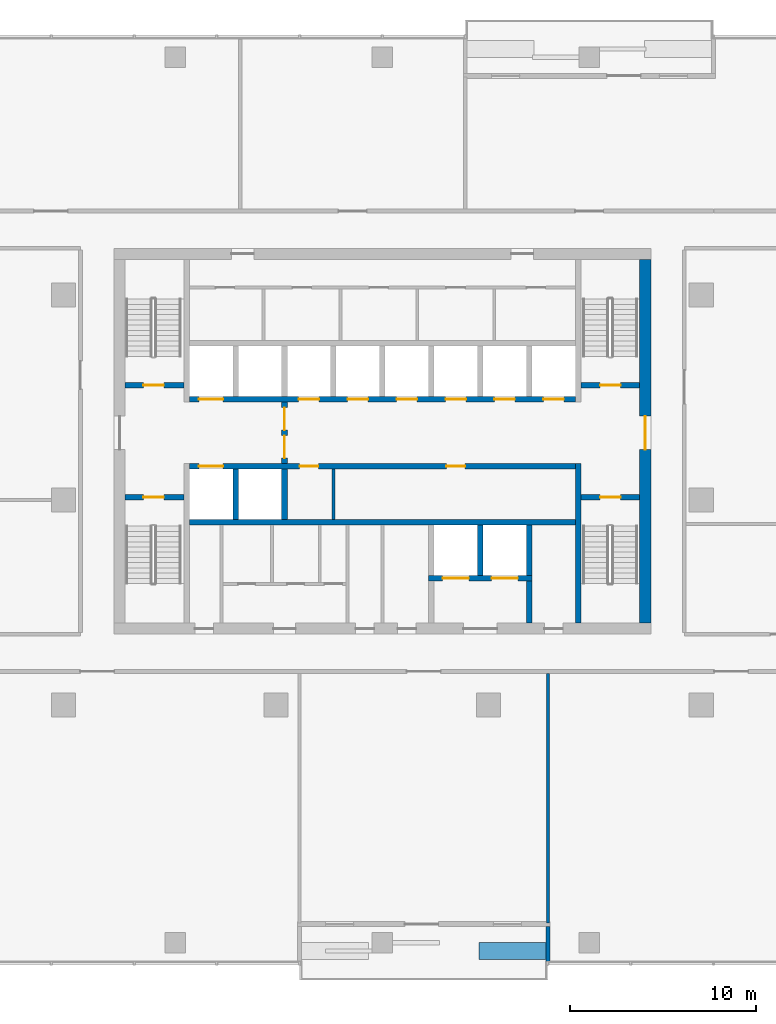
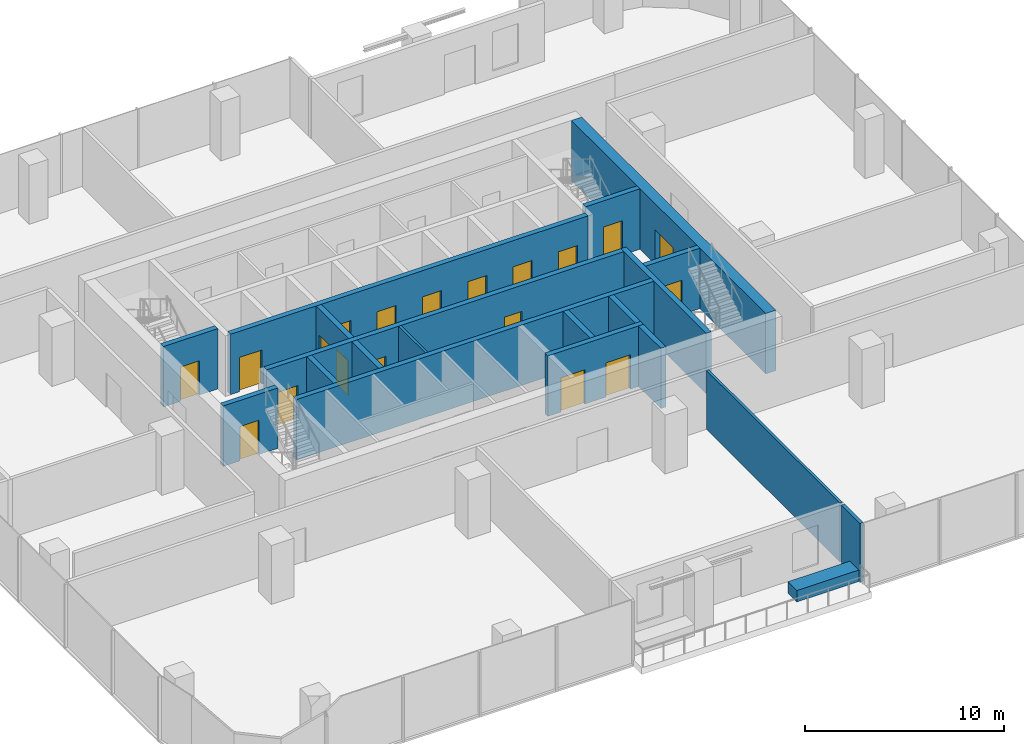
# One storey, part 8 of 14: 20 walls, 19 doors, 19 openings.
"""IFC4 building model written with IfcOpenShell, lengths in metres."""

import ifcopenshell
import ifcopenshell.guid

model = None  # the IFC model being written
_history = None  # IfcOwnerHistory: only IFC2X3 demands one
_inside = {}  # id of a spatial element -> (the spatial element, [elements in it])
_under = {}  # id of a project, library or spatial element -> (it, [spatial elements below it])
_declared = {}  # id of a project -> (the project, [libraries it declares])
_typed = {}  # id of a type object -> (the type object, [elements of that type])
_made_of = {}  # id of a material, layer set ... -> (it, [elements and type objects made of it])


def new_model(schema):
    """Start an empty IFC model of exactly this schema.

    Asked for "IFC4X3", IfcOpenShell would pick the latest addendum, in which some entities
    have other attributes; the version numbers below select the first issue.
    IFC2X3 requires an IfcOwnerHistory on every rooted entity: one is made here for all.
    """
    global model, _history
    if schema == "IFC4X3":
        model = ifcopenshell.file(schema_version=(4, 3, 0, 0))
    else:
        model = ifcopenshell.file(schema=schema)
    _inside.clear()
    _under.clear()
    _declared.clear()
    _typed.clear()
    _made_of.clear()
    _history = None
    if model.schema == "IFC2X3":
        org = make("IfcOrganization", Name="unknown")
        user = make(
            "IfcPersonAndOrganization",
            ThePerson=make("IfcPerson", FamilyName="unknown"),
            TheOrganization=org,
        )
        app = make(
            "IfcApplication",
            ApplicationDeveloper=org,
            Version="unknown",
            ApplicationFullName="unknown",
            ApplicationIdentifier="unknown",
        )
        _history = make(
            "IfcOwnerHistory",
            OwningUser=user,
            OwningApplication=app,
            ChangeAction="ADDED",
            CreationDate=0,
        )
    return model


def make(cls, **values):
    """One entity of the class cls with the attributes given. An attribute that is None is left unset."""
    return model.create_entity(
        cls, **{name: value for name, value in values.items() if value is not None}
    )


def rooted(cls, **values):
    """An entity with a GlobalId (a new one), such as an element, a storey or a relation."""
    return make(cls, GlobalId=ifcopenshell.guid.new(), OwnerHistory=_history, **values)


def si_unit(unit_type, name, prefix=None):
    """IfcSIUnit, for example si_unit("LENGTHUNIT", "METRE", prefix="MILLI")."""
    return make("IfcSIUnit", UnitType=unit_type, Prefix=prefix, Name=name)


def assignment(units):
    """IfcUnitAssignment: the units of a project."""
    return None if units is None else make("IfcUnitAssignment", Units=units)


def point(xyz):
    """IfcCartesianPoint."""
    return None if xyz is None else make("IfcCartesianPoint", Coordinates=xyz)


def direction(xyz):
    """IfcDirection."""
    return None if xyz is None else make("IfcDirection", DirectionRatios=xyz)


def frame(location, z_axis=None, x_axis=None):
    """IfcAxis2Placement3D, a coordinate frame: its origin and axes. An axis left out is left unset."""
    return make(
        "IfcAxis2Placement3D",
        Location=point(location),
        Axis=direction(z_axis),
        RefDirection=direction(x_axis),
    )


def frame_2d(location, x_axis=None):
    """IfcAxis2Placement2D, a coordinate frame in the plane: its origin and x axis."""
    return make(
        "IfcAxis2Placement2D", Location=point(location), RefDirection=direction(x_axis)
    )


def origin():
    """The frame at (0, 0, 0) with its axes left unset."""
    return frame((0.0, 0.0, 0.0))


def place(relative_to, where):
    """IfcLocalPlacement: puts the frame where relative to a parent placement (None: the world)."""
    return make(
        "IfcLocalPlacement", PlacementRelTo=relative_to, RelativePlacement=where
    )


def context(
    kind, dimensions, precision=None, world=None, true_north=None, identifier=None
):
    """IfcGeometricRepresentationContext, for example the 3D "Model" context."""
    return make(
        "IfcGeometricRepresentationContext",
        ContextIdentifier=identifier,
        ContextType=kind,
        CoordinateSpaceDimension=dimensions,
        Precision=precision,
        WorldCoordinateSystem=world,
        TrueNorth=true_north,
    )


def subcontext(parent, identifier, kind, view, scale=None):
    """IfcGeometricRepresentationSubContext, for example "Body" below "Model"."""
    return make(
        "IfcGeometricRepresentationSubContext",
        ContextIdentifier=identifier,
        ContextType=kind,
        ParentContext=parent,
        TargetScale=scale,
        TargetView=view,
    )


def project(units=None, contexts=None):
    """IfcProject with its units and contexts."""
    return rooted(
        "IfcProject",
        Name="project",
        RepresentationContexts=contexts,
        UnitsInContext=assignment(units),
    )


def spatial(cls, under=None, at=None, **own):
    """A site, building, storey or space (cls), placed at a placement, below another one or the project."""
    s = rooted(cls, ObjectPlacement=at, **own)
    if under is not None:
        _under.setdefault(under.id(), (under, []))[1].append(s)
    return s


def profile(cls, at=None, kind="AREA", **sizes):
    """A parametric profile (cls). Its sizes go by their IFC names, for example OverallWidth=200.0."""
    return make(cls, ProfileType=kind, Position=at, **sizes)


def rectangle(**sizes):
    """IfcRectangleProfileDef."""
    return profile("IfcRectangleProfileDef", **sizes)


def extrude(swept, where, along, depth):
    """IfcExtrudedAreaSolid: the profile swept, set in the frame where, extruded along a direction by depth."""
    return make(
        "IfcExtrudedAreaSolid",
        SweptArea=swept,
        Position=where,
        ExtrudedDirection=direction(along),
        Depth=depth,
    )


def shape(context_of_items, identifier, shape_type, items):
    """IfcShapeRepresentation: the items that make up one representation, for example the "Body"."""
    return make(
        "IfcShapeRepresentation",
        ContextOfItems=context_of_items,
        RepresentationIdentifier=identifier,
        RepresentationType=shape_type,
        Items=items,
    )


def material(Name=None, Category=None):
    """IfcMaterial."""
    return make("IfcMaterial", Name=Name, Category=Category)


def layer(
    of_material, thickness, ventilated=None, Name=None, Category=None, Priority=None
):
    """IfcMaterialLayer: one layer of a wall or slab, of a material (None: an air gap)."""
    return make(
        "IfcMaterialLayer",
        Material=of_material,
        LayerThickness=thickness,
        IsVentilated=ventilated,
        Name=Name,
        Category=Category,
        Priority=Priority,
    )


def layer_set(layers, Name=None):
    """IfcMaterialLayerSet."""
    return make("IfcMaterialLayerSet", MaterialLayers=layers, LayerSetName=Name)


def made_of(thing, what):
    """Note that an element or type object is made of a material, layer set ...; save() writes the relation."""
    if what is not None:
        _made_of.setdefault(what.id(), (what, []))[1].append(thing)
    return thing


def type_object(cls, material=None, **own):
    """A type object (cls), such as IfcWallType, which elements share."""
    return made_of(rooted(cls, **own), material)


def element(
    cls,
    number,
    at=None,
    inside=None,
    cuts=None,
    type_object=None,
    material=None,
    context=None,
    identifier="Body",
    shape_type=None,
    held_by="IfcProductDefinitionShape",
    body=None,
    shapes=None,
    **own,
):
    """One element of the class cls, such as IfcWall. Its Tag is "e" and its number.

    at: its placement. inside: the storey or other place that contains it. cuts: it is an
    opening in that element (IfcRelVoidsElement). A single representation is given by context,
    identifier, shape_type and body (its items); several are given by shapes. held_by: the class
    of the entity that holds the representations. save() writes the other relations.
    """
    e = rooted(cls, Tag="e%d" % number, ObjectPlacement=at, **own)
    if body is not None:
        shapes = [shape(context, identifier, shape_type, body)]
    if shapes is not None:
        e.Representation = make(held_by, Representations=shapes)
    if inside is not None:
        _inside.setdefault(inside.id(), (inside, []))[1].append(e)
    if cuts is not None:
        rooted(
            "IfcRelVoidsElement", RelatingBuildingElement=cuts, RelatedOpeningElement=e
        )
    if type_object is not None:
        _typed.setdefault(type_object.id(), (type_object, []))[1].append(e)
    return made_of(e, material)


def fill(opening, filler):
    """IfcRelFillsElement: the door or window that sits in an opening."""
    return rooted(
        "IfcRelFillsElement",
        RelatingOpeningElement=opening,
        RelatedBuildingElement=filler,
    )


def aggregate(whole, parts):
    """IfcRelAggregates: a whole, such as a stair, and the parts it consists of."""
    return rooted("IfcRelAggregates", RelatingObject=whole, RelatedObjects=parts)


def save(model, path):
    """Write the relations noted so far, then the file.

    IfcRelAggregates (storeys below a building ...), IfcRelContainedInSpatialStructure (elements
    in a storey), IfcRelDefinesByType, IfcRelAssociatesMaterial and IfcRelDeclares: one each for
    every whole, place, type object, material and project.
    """
    for whole, parts in _under.values():
        aggregate(whole, parts)
    for where, things in _inside.values():
        rooted(
            "IfcRelContainedInSpatialStructure",
            RelatedElements=things,
            RelatingStructure=where,
        )
    for kind, things in _typed.values():
        rooted("IfcRelDefinesByType", RelatedObjects=things, RelatingType=kind)
    for what, things in _made_of.values():
        rooted("IfcRelAssociatesMaterial", RelatedObjects=things, RelatingMaterial=what)
    for by, libraries in _declared.values():
        rooted("IfcRelDeclares", RelatingContext=by, RelatedDefinitions=libraries)
    model.write(path)


model = new_model("IFC4")

# Units and contexts
model_context = context("Model", 3, precision=1e-05, world=origin(), true_north=direction((0.0, 1.0)))
body_context = subcontext(model_context, "Body", "Model", "MODEL_VIEW")
ifc_project = project(units=[si_unit("LENGTHUNIT", "METRE"), si_unit("AREAUNIT", "SQUARE_METRE"), si_unit("VOLUMEUNIT", "CUBIC_METRE"), si_unit("PLANEANGLEUNIT", "RADIAN"), si_unit("MASSUNIT", "GRAM", prefix="KILO")], contexts=[model_context])

# Site, building, storey
site_placement = place(None, origin())
site = spatial("IfcSite", under=ifc_project, at=site_placement, CompositionType="ELEMENT")
building_placement = place(site_placement, origin())
building = spatial("IfcBuilding", under=site, at=building_placement, Name="Mopane Tessera Tower", CompositionType="ELEMENT")
storey_placement = place(building_placement, frame((0.0, 0.0, 243.0)))
storey = spatial("IfcBuildingStorey", under=building, at=storey_placement, Name="L52", CompositionType="ELEMENT", Elevation=243.0)

# Wall
ifc_material_1 = material(Name="Fire-rated gypsum board partition")
ifc_layer_1 = layer(ifc_material_1, 0.14990234375)
ifc_layer_set_1 = layer_set([ifc_layer_1], Name="Fire-rated gypsum board partition")
wall_type_1 = type_object("IfcWallType", Name="Core room partition 150 mm", PredefinedType="PARTITIONING", material=ifc_layer_set_1)
wall_1_placement = place(storey_placement, frame((-2.625, -1.050048828125, 0.0), z_axis=(0.0, 0.0, 1.0), x_axis=(0.0, 1.0, 0.0)))
element("IfcWall", 1, at=wall_1_placement, inside=storey, type_object=wall_type_1, Name="L52 Room partition", PredefinedType="PARTITIONING", context=body_context, shape_type="SweptSolid", body=[
    extrude(rectangle(XDim=2.699951171875, YDim=0.14990234375, at=frame_2d((1.35009765625, 0.0))), origin(), (0.0, 0.0, 1.0), 3.699951171875),
])

# Wall, opening, door
ifc_material_2 = material(Name="Concrete C70/85", Category="concrete")
ifc_layer_2 = layer(ifc_material_2, 0.60009765625)
ifc_layer_set_2 = layer_set([ifc_layer_2], Name="Concrete C70/85")
wall_type_2 = type_object("IfcWallType", Name="Core shear wall 600 mm", PredefinedType="SHEAR", material=ifc_layer_set_2)
wall_2_placement = place(storey_placement, frame((14.10009765625, -6.60009765625, 0.0), z_axis=(0.0, 0.0, 1.0), x_axis=(0.0, 1.0, 0.0)))
wall_2 = element("IfcWall", 2, at=wall_2_placement, inside=storey, type_object=wall_type_2, Name="L52 Core wall east", PredefinedType="SHEAR", context=body_context, shape_type="SweptSolid", body=[
    extrude(rectangle(XDim=19.5, YDim=0.60009765625, at=frame_2d((9.75, 0.0))), origin(), (0.0, 0.0, 1.0), 3.699951171875),
])
opening_1_placement = place(wall_2_placement, frame((9.300048828125, 0.0, 0.0)))
opening_1 = element("IfcOpeningElement", 3, at=opening_1_placement, cuts=wall_2, Name="Opening SD2", PredefinedType="OPENING", context=body_context, shape_type="SweptSolid", body=[
    extrude(rectangle(XDim=1.800048828125, YDim=2.10009765625, at=frame_2d((0.89990234375, 1.050048828125))), frame((0.0, 0.31201171875, 0.0), z_axis=(0.0, -1.0, 0.0), x_axis=(1.0, 0.0, 0.0)), (0.0, 0.0, 1.0), 0.6240234375),
])
ifc_material_3 = material(Name="Steel fire door", Category="steel")
door_type_1 = type_object("IfcDoorType", Name="Core entrance double door 1800 x 2100", OperationType="DOUBLE_DOOR_SINGLE_SWING", PredefinedType="DOOR", material=ifc_material_3)
door_1_placement = place(opening_1_placement, origin())
door_1 = element("IfcDoor", 4, at=door_1_placement, inside=storey, type_object=door_type_1, Name="L52 Core entrance door east", OperationType="DOUBLE_DOOR_SINGLE_SWING", OverallHeight=2.10009765625, OverallWidth=1.800048828125, PredefinedType="DOOR", context=body_context, shape_type="SweptSolid", body=[
    extrude(rectangle(XDim=1.800048828125, YDim=2.10009765625, at=frame_2d((0.89990234375, 1.050048828125))), frame((0.0, 0.02490234375, 0.0), z_axis=(0.0, -1.0, 0.0), x_axis=(1.0, 0.0, 0.0)), (0.0, 0.0, 1.0), 0.050048828125),
])
fill(opening_1, door_1)

# Walls
ifc_material_4 = material(Name="Concrete C60/75", Category="concrete")
ifc_layer_3 = layer(ifc_material_4, 0.300048828125)
ifc_layer_set_3 = layer_set([ifc_layer_3], Name="Concrete C60/75")
wall_type_3 = type_object("IfcWallType", Name="Core spine wall 300 mm", PredefinedType="SHEAR", material=ifc_layer_set_3)
wall_3_placement = place(storey_placement, frame((10.5, -6.60009765625, 0.0), z_axis=(0.0, 0.0, 1.0), x_axis=(0.0, 1.0, 0.0)))
element("IfcWall", 5, at=wall_3_placement, inside=storey, type_object=wall_type_3, Name="L52 Core spine wall", PredefinedType="SHEAR", context=body_context, shape_type="SweptSolid", body=[
    extrude(rectangle(XDim=8.550048828125, YDim=0.300048828125, at=frame_2d((4.27490234375, 0.0))), origin(), (0.0, 0.0, 1.0), 3.699951171875),
])
ifc_material_5 = material(Name="Gypsum board on steel studs, mineral wool infill", Category="steel")
ifc_layer_4 = layer(ifc_material_5, 0.14990234375)
ifc_layer_set_4 = layer_set([ifc_layer_4], Name="Gypsum board on steel studs, mineral wool infill")
wall_type_4 = type_object("IfcWallType", Name="Gypsum board partition 150, rated EI 60", PredefinedType="PARTITIONING", material=ifc_layer_set_4)
wall_4_placement = place(storey_placement, frame((8.8798828125, -22.699951171875, 0.0), z_axis=(0.0, 0.0, 1.0), x_axis=(0.0, 1.0, 0.0)))
element("IfcWall", 6, at=wall_4_placement, inside=storey, type_object=wall_type_4, Name="Partition L52:013", PredefinedType="PARTITIONING", context=body_context, shape_type="SweptSolid", body=[
    extrude(rectangle(XDim=13.39990234375, YDim=0.14990234375, at=frame_2d((6.699951171875, 0.0))), origin(), (0.0, 0.0, 1.0), 3.60009765625),
])

# Wall, opening, door
ifc_material_6 = material(Name="Concrete C50/60", Category="concrete")
ifc_layer_5 = layer(ifc_material_6, 0.300048828125)
ifc_layer_set_5 = layer_set([ifc_layer_5], Name="Concrete C50/60")
wall_type_5 = type_object("IfcWallType", Name="Lift and stair shaft wall 300 mm", PredefinedType="SOLIDWALL", material=ifc_layer_set_5)
wall_5_placement = place(storey_placement, frame((-13.800048828125, 0.14990234375, 0.0), z_axis=(0.0, 0.0, 1.0), x_axis=(1.0, 0.0, 0.0)))
wall_5 = element("IfcWall", 7, at=wall_5_placement, inside=storey, type_object=wall_type_5, Name="L52 Stair enclosure wall", PredefinedType="SOLIDWALL", context=body_context, shape_type="SweptSolid", body=[
    extrude(rectangle(XDim=3.150146484375, YDim=0.300048828125, at=frame_2d((1.5751953125, 0.0))), origin(), (0.0, 0.0, 1.0), 3.699951171875),
])
opening_2_placement = place(wall_5_placement, frame((0.97509765625, 0.0, 0.0)))
opening_2 = element("IfcOpeningElement", 8, at=opening_2_placement, cuts=wall_5, Name="Opening SD1", PredefinedType="OPENING", context=body_context, shape_type="SweptSolid", body=[
    extrude(rectangle(XDim=1.10009765625, YDim=2.10009765625, at=frame_2d((0.550048828125, 1.050048828125))), frame((0.0, 0.162109375, 0.0), z_axis=(0.0, -1.0, 0.0), x_axis=(1.0, 0.0, 0.0)), (0.0, 0.0, 1.0), 0.323974609375),
])
ifc_material_7 = material(Name="Steel fire door", Category="steel")
door_type_2 = type_object("IfcDoorType", Name="Stair fire door 1100 x 2100", OperationType="SINGLE_SWING_LEFT", PredefinedType="DOOR", material=ifc_material_7)
door_2_placement = place(opening_2_placement, origin())
door_2 = element("IfcDoor", 9, at=door_2_placement, inside=storey, type_object=door_type_2, Name="L52 Stair door ST1", OperationType="SINGLE_SWING_LEFT", OverallHeight=2.10009765625, OverallWidth=1.10009765625, PredefinedType="DOOR", context=body_context, shape_type="SweptSolid", body=[
    extrude(rectangle(XDim=1.10009765625, YDim=2.10009765625, at=frame_2d((0.550048828125, 1.050048828125))), frame((0.0, 0.02490234375, 0.0), z_axis=(0.0, -1.0, 0.0), x_axis=(1.0, 0.0, 0.0)), (0.0, 0.0, 1.0), 0.050048828125),
])
fill(opening_2, door_2)

wall_6_placement = place(storey_placement, frame((-13.800048828125, 6.14990234375, 0.0), z_axis=(0.0, 0.0, 1.0), x_axis=(1.0, 0.0, 0.0)))
wall_6 = element("IfcWall", 10, at=wall_6_placement, inside=storey, type_object=wall_type_5, Name="L52 Stair enclosure wall", PredefinedType="SOLIDWALL", context=body_context, shape_type="SweptSolid", body=[
    extrude(rectangle(XDim=3.150146484375, YDim=0.300048828125, at=frame_2d((1.5751953125, 0.0))), origin(), (0.0, 0.0, 1.0), 3.699951171875),
])
opening_3_placement = place(wall_6_placement, frame((0.97509765625, 0.0, 0.0)))
opening_3 = element("IfcOpeningElement", 11, at=opening_3_placement, cuts=wall_6, Name="Opening SD1", PredefinedType="OPENING", context=body_context, shape_type="SweptSolid", body=[
    extrude(rectangle(XDim=1.10009765625, YDim=2.10009765625, at=frame_2d((0.550048828125, 1.050048828125))), frame((0.0, 0.162109375, 0.0), z_axis=(0.0, -1.0, 0.0), x_axis=(1.0, 0.0, 0.0)), (0.0, 0.0, 1.0), 0.323974609375),
])
door_3_placement = place(opening_3_placement, origin())
door_3 = element("IfcDoor", 12, at=door_3_placement, inside=storey, type_object=door_type_2, Name="L52 Stair door ST2", OperationType="SINGLE_SWING_LEFT", OverallHeight=2.10009765625, OverallWidth=1.10009765625, PredefinedType="DOOR", context=body_context, shape_type="SweptSolid", body=[
    extrude(rectangle(XDim=1.10009765625, YDim=2.10009765625, at=frame_2d((0.550048828125, 1.050048828125))), frame((0.0, 0.02490234375, 0.0), z_axis=(0.0, -1.0, 0.0), x_axis=(1.0, 0.0, 0.0)), (0.0, 0.0, 1.0), 0.050048828125),
])
fill(opening_3, door_3)

wall_7_placement = place(storey_placement, frame((10.64990234375, 0.14990234375, 0.0), z_axis=(0.0, 0.0, 1.0), x_axis=(1.0, 0.0, 0.0)))
wall_7 = element("IfcWall", 13, at=wall_7_placement, inside=storey, type_object=wall_type_5, Name="L52 Stair enclosure wall", PredefinedType="SOLIDWALL", context=body_context, shape_type="SweptSolid", body=[
    extrude(rectangle(XDim=3.150146484375, YDim=0.300048828125, at=frame_2d((1.5751953125, 0.0))), origin(), (0.0, 0.0, 1.0), 3.699951171875),
])
opening_4_placement = place(wall_7_placement, frame((1.02490234375, 0.0, 0.0)))
opening_4 = element("IfcOpeningElement", 14, at=opening_4_placement, cuts=wall_7, Name="Opening SD1", PredefinedType="OPENING", context=body_context, shape_type="SweptSolid", body=[
    extrude(rectangle(XDim=1.10009765625, YDim=2.10009765625, at=frame_2d((0.550048828125, 1.050048828125))), frame((0.0, 0.162109375, 0.0), z_axis=(0.0, -1.0, 0.0), x_axis=(1.0, 0.0, 0.0)), (0.0, 0.0, 1.0), 0.323974609375),
])
door_4_placement = place(opening_4_placement, origin())
door_4 = element("IfcDoor", 15, at=door_4_placement, inside=storey, type_object=door_type_2, Name="L52 Stair door ST3", OperationType="SINGLE_SWING_RIGHT", OverallHeight=2.10009765625, OverallWidth=1.10009765625, PredefinedType="DOOR", context=body_context, shape_type="SweptSolid", body=[
    extrude(rectangle(XDim=1.10009765625, YDim=2.10009765625, at=frame_2d((0.550048828125, 1.050048828125))), frame((0.0, 0.02490234375, 0.0), z_axis=(0.0, -1.0, 0.0), x_axis=(1.0, 0.0, 0.0)), (0.0, 0.0, 1.0), 0.050048828125),
])
fill(opening_4, door_4)

wall_8_placement = place(storey_placement, frame((10.64990234375, 6.14990234375, 0.0), z_axis=(0.0, 0.0, 1.0), x_axis=(1.0, 0.0, 0.0)))
wall_8 = element("IfcWall", 16, at=wall_8_placement, inside=storey, type_object=wall_type_5, Name="L52 Stair enclosure wall", PredefinedType="SOLIDWALL", context=body_context, shape_type="SweptSolid", body=[
    extrude(rectangle(XDim=3.150146484375, YDim=0.300048828125, at=frame_2d((1.5751953125, 0.0))), origin(), (0.0, 0.0, 1.0), 3.699951171875),
])
opening_5_placement = place(wall_8_placement, frame((1.02490234375, 0.0, 0.0)))
opening_5 = element("IfcOpeningElement", 17, at=opening_5_placement, cuts=wall_8, Name="Opening SD1", PredefinedType="OPENING", context=body_context, shape_type="SweptSolid", body=[
    extrude(rectangle(XDim=1.10009765625, YDim=2.10009765625, at=frame_2d((0.550048828125, 1.050048828125))), frame((0.0, 0.162109375, 0.0), z_axis=(0.0, -1.0, 0.0), x_axis=(1.0, 0.0, 0.0)), (0.0, 0.0, 1.0), 0.323974609375),
])
door_5_placement = place(opening_5_placement, origin())
door_5 = element("IfcDoor", 18, at=door_5_placement, inside=storey, type_object=door_type_2, Name="L52 Stair door ST4", OperationType="SINGLE_SWING_RIGHT", OverallHeight=2.10009765625, OverallWidth=1.10009765625, PredefinedType="DOOR", context=body_context, shape_type="SweptSolid", body=[
    extrude(rectangle(XDim=1.10009765625, YDim=2.10009765625, at=frame_2d((0.550048828125, 1.050048828125))), frame((0.0, 0.02490234375, 0.0), z_axis=(0.0, -1.0, 0.0), x_axis=(1.0, 0.0, 0.0)), (0.0, 0.0, 1.0), 0.050048828125),
])
fill(opening_5, door_5)

# Wall
wall_9_placement = place(storey_placement, frame((-10.35009765625, -1.199951171875, 0.0), z_axis=(0.0, 0.0, 1.0), x_axis=(1.0, 0.0, 0.0)))
element("IfcWall", 19, at=wall_9_placement, inside=storey, type_object=wall_type_5, Name="L52 Lift shaft rear wall", PredefinedType="SOLIDWALL", context=body_context, shape_type="SweptSolid", body=[
    extrude(rectangle(XDim=20.7001953125, YDim=0.300048828125, at=frame_2d((10.35009765625, 0.0))), origin(), (0.0, 0.0, 1.0), 3.699951171875),
])

# Wall, openings, doors
wall_10_placement = place(storey_placement, frame((-10.35009765625, 1.800048828125, 0.0), z_axis=(0.0, 0.0, 1.0), x_axis=(1.0, 0.0, 0.0)))
wall_10 = element("IfcWall", 20, at=wall_10_placement, inside=storey, type_object=wall_type_5, Name="L52 Lift shaft front wall", PredefinedType="SOLIDWALL", context=body_context, shape_type="SweptSolid", body=[
    extrude(rectangle(XDim=20.7001953125, YDim=0.300048828125, at=frame_2d((10.35009765625, 0.0))), origin(), (0.0, 0.0, 1.0), 3.699951171875),
])
opening_6_placement = place(wall_10_placement, frame((0.512451171875, 0.0, 0.0)))
opening_6 = element("IfcOpeningElement", 21, at=opening_6_placement, cuts=wall_10, Name="Opening LD2", PredefinedType="OPENING", context=body_context, shape_type="SweptSolid", body=[
    extrude(rectangle(XDim=1.300048828125, YDim=2.10009765625, at=frame_2d((0.64990234375, 1.050048828125))), frame((0.0, 0.162109375, 0.0), z_axis=(0.0, -1.0, 0.0), x_axis=(1.0, 0.0, 0.0)), (0.0, 0.0, 1.0), 0.323974609375),
])
opening_7_placement = place(wall_10_placement, frame((5.91259765625, 0.0, 0.0)))
opening_7 = element("IfcOpeningElement", 22, at=opening_7_placement, cuts=wall_10, Name="Opening RD1", PredefinedType="OPENING", context=body_context, shape_type="SweptSolid", body=[
    extrude(rectangle(XDim=1.0, YDim=2.10009765625, at=frame_2d((0.5, 1.050048828125))), frame((0.0, 0.162109375, 0.0), z_axis=(0.0, -1.0, 0.0), x_axis=(1.0, 0.0, 0.0)), (0.0, 0.0, 1.0), 0.323974609375),
])
opening_8_placement = place(wall_10_placement, frame((13.78759765625, 0.0, 0.0)))
opening_8 = element("IfcOpeningElement", 23, at=opening_8_placement, cuts=wall_10, Name="Opening RD1", PredefinedType="OPENING", context=body_context, shape_type="SweptSolid", body=[
    extrude(rectangle(XDim=1.0, YDim=2.10009765625, at=frame_2d((0.5, 1.050048828125))), frame((0.0, 0.162109375, 0.0), z_axis=(0.0, -1.0, 0.0), x_axis=(1.0, 0.0, 0.0)), (0.0, 0.0, 1.0), 0.323974609375),
])
ifc_material_8 = material(Name="Timber door", Category="wood")
door_type_3 = type_object("IfcDoorType", Name="Core room door 1000 x 2100", OperationType="SINGLE_SWING_LEFT", PredefinedType="DOOR", material=ifc_material_8)
door_6_placement = place(opening_7_placement, origin())
door_6 = element("IfcDoor", 24, at=door_6_placement, inside=storey, type_object=door_type_3, Name="L52 Room door", OperationType="SINGLE_SWING_LEFT", OverallHeight=2.10009765625, OverallWidth=1.0, PredefinedType="DOOR", context=body_context, shape_type="SweptSolid", body=[
    extrude(rectangle(XDim=1.0, YDim=2.10009765625, at=frame_2d((0.5, 1.050048828125))), frame((0.0, 0.02490234375, 0.0), z_axis=(0.0, -1.0, 0.0), x_axis=(1.0, 0.0, 0.0)), (0.0, 0.0, 1.0), 0.050048828125),
])
fill(opening_7, door_6)
door_7_placement = place(opening_8_placement, origin())
door_7 = element("IfcDoor", 25, at=door_7_placement, inside=storey, type_object=door_type_3, Name="L52 Room door", OperationType="SINGLE_SWING_LEFT", OverallHeight=2.10009765625, OverallWidth=1.0, PredefinedType="DOOR", context=body_context, shape_type="SweptSolid", body=[
    extrude(rectangle(XDim=1.0, YDim=2.10009765625, at=frame_2d((0.5, 1.050048828125))), frame((0.0, 0.02490234375, 0.0), z_axis=(0.0, -1.0, 0.0), x_axis=(1.0, 0.0, 0.0)), (0.0, 0.0, 1.0), 0.050048828125),
])
fill(opening_8, door_7)
ifc_material_9 = material(Name="Stainless steel sliding door", Category="steel")
door_type_4 = type_object("IfcDoorType", Name="Fire-fighting lift landing door 1300 x 2100", OperationType="DOUBLE_DOOR_SLIDING", PredefinedType="DOOR", material=ifc_material_9)
door_8_placement = place(opening_6_placement, origin())
door_8 = element("IfcDoor", 26, at=door_8_placement, inside=storey, type_object=door_type_4, Name="L52 Lift landing door FF1", OperationType="DOUBLE_DOOR_SLIDING", OverallHeight=2.10009765625, OverallWidth=1.300048828125, PredefinedType="DOOR", context=body_context, shape_type="SweptSolid", body=[
    extrude(rectangle(XDim=1.300048828125, YDim=2.10009765625, at=frame_2d((0.64990234375, 1.050048828125))), frame((0.0, 0.02490234375, 0.0), z_axis=(0.0, -1.0, 0.0), x_axis=(1.0, 0.0, 0.0)), (0.0, 0.0, 1.0), 0.050048828125),
])
fill(opening_6, door_8)

wall_11_placement = place(storey_placement, frame((-10.35009765625, 5.39990234375, 0.0), z_axis=(0.0, 0.0, 1.0), x_axis=(1.0, 0.0, 0.0)))
wall_11 = element("IfcWall", 27, at=wall_11_placement, inside=storey, type_object=wall_type_5, Name="L52 Lift shaft front wall", PredefinedType="SOLIDWALL", context=body_context, shape_type="SweptSolid", body=[
    extrude(rectangle(XDim=20.7001953125, YDim=0.300048828125, at=frame_2d((10.35009765625, 0.0))), origin(), (0.0, 0.0, 1.0), 3.699951171875),
])
opening_9_placement = place(wall_11_placement, frame((0.512451171875, 0.0, 0.0)))
opening_9 = element("IfcOpeningElement", 28, at=opening_9_placement, cuts=wall_11, Name="Opening LD2", PredefinedType="OPENING", context=body_context, shape_type="SweptSolid", body=[
    extrude(rectangle(XDim=1.300048828125, YDim=2.10009765625, at=frame_2d((0.64990234375, 1.050048828125))), frame((0.0, 0.162109375, 0.0), z_axis=(0.0, -1.0, 0.0), x_axis=(1.0, 0.0, 0.0)), (0.0, 0.0, 1.0), 0.323974609375),
])
opening_10_placement = place(wall_11_placement, frame((5.862548828125, 0.0, 0.0)))
opening_10 = element("IfcOpeningElement", 29, at=opening_10_placement, cuts=wall_11, Name="Opening LD", PredefinedType="OPENING", context=body_context, shape_type="SweptSolid", body=[
    extrude(rectangle(XDim=1.10009765625, YDim=2.10009765625, at=frame_2d((0.550048828125, 1.050048828125))), frame((0.0, 0.162109375, 0.0), z_axis=(0.0, -1.0, 0.0), x_axis=(1.0, 0.0, 0.0)), (0.0, 0.0, 1.0), 0.323974609375),
])
opening_11_placement = place(wall_11_placement, frame((8.487548828125, 0.0, 0.0)))
opening_11 = element("IfcOpeningElement", 30, at=opening_11_placement, cuts=wall_11, Name="Opening LD", PredefinedType="OPENING", context=body_context, shape_type="SweptSolid", body=[
    extrude(rectangle(XDim=1.10009765625, YDim=2.10009765625, at=frame_2d((0.550048828125, 1.050048828125))), frame((0.0, 0.162109375, 0.0), z_axis=(0.0, -1.0, 0.0), x_axis=(1.0, 0.0, 0.0)), (0.0, 0.0, 1.0), 0.323974609375),
])
opening_12_placement = place(wall_11_placement, frame((11.112548828125, 0.0, 0.0)))
opening_12 = element("IfcOpeningElement", 31, at=opening_12_placement, cuts=wall_11, Name="Opening LD", PredefinedType="OPENING", context=body_context, shape_type="SweptSolid", body=[
    extrude(rectangle(XDim=1.10009765625, YDim=2.10009765625, at=frame_2d((0.550048828125, 1.050048828125))), frame((0.0, 0.162109375, 0.0), z_axis=(0.0, -1.0, 0.0), x_axis=(1.0, 0.0, 0.0)), (0.0, 0.0, 1.0), 0.323974609375),
])
opening_13_placement = place(wall_11_placement, frame((13.737548828125, 0.0, 0.0)))
opening_13 = element("IfcOpeningElement", 32, at=opening_13_placement, cuts=wall_11, Name="Opening LD", PredefinedType="OPENING", context=body_context, shape_type="SweptSolid", body=[
    extrude(rectangle(XDim=1.10009765625, YDim=2.10009765625, at=frame_2d((0.550048828125, 1.050048828125))), frame((0.0, 0.162109375, 0.0), z_axis=(0.0, -1.0, 0.0), x_axis=(1.0, 0.0, 0.0)), (0.0, 0.0, 1.0), 0.323974609375),
])
opening_14_placement = place(wall_11_placement, frame((16.362548828125, 0.0, 0.0)))
opening_14 = element("IfcOpeningElement", 33, at=opening_14_placement, cuts=wall_11, Name="Opening LD", PredefinedType="OPENING", context=body_context, shape_type="SweptSolid", body=[
    extrude(rectangle(XDim=1.10009765625, YDim=2.10009765625, at=frame_2d((0.550048828125, 1.050048828125))), frame((0.0, 0.162109375, 0.0), z_axis=(0.0, -1.0, 0.0), x_axis=(1.0, 0.0, 0.0)), (0.0, 0.0, 1.0), 0.323974609375),
])
opening_15_placement = place(wall_11_placement, frame((18.987548828125, 0.0, 0.0)))
opening_15 = element("IfcOpeningElement", 34, at=opening_15_placement, cuts=wall_11, Name="Opening LD", PredefinedType="OPENING", context=body_context, shape_type="SweptSolid", body=[
    extrude(rectangle(XDim=1.10009765625, YDim=2.10009765625, at=frame_2d((0.550048828125, 1.050048828125))), frame((0.0, 0.162109375, 0.0), z_axis=(0.0, -1.0, 0.0), x_axis=(1.0, 0.0, 0.0)), (0.0, 0.0, 1.0), 0.323974609375),
])
door_9_placement = place(opening_9_placement, origin())
door_9 = element("IfcDoor", 35, at=door_9_placement, inside=storey, type_object=door_type_4, Name="L52 Lift landing door FF2", OperationType="DOUBLE_DOOR_SLIDING", OverallHeight=2.10009765625, OverallWidth=1.300048828125, PredefinedType="DOOR", context=body_context, shape_type="SweptSolid", body=[
    extrude(rectangle(XDim=1.300048828125, YDim=2.10009765625, at=frame_2d((0.64990234375, 1.050048828125))), frame((0.0, 0.02490234375, 0.0), z_axis=(0.0, -1.0, 0.0), x_axis=(1.0, 0.0, 0.0)), (0.0, 0.0, 1.0), 0.050048828125),
])
fill(opening_9, door_9)
ifc_material_10 = material(Name="Stainless steel sliding door", Category="steel")
door_type_5 = type_object("IfcDoorType", Name="Lift landing door 1100 x 2100", OperationType="DOUBLE_DOOR_SLIDING", PredefinedType="DOOR", material=ifc_material_10)
door_10_placement = place(opening_10_placement, origin())
door_10 = element("IfcDoor", 36, at=door_10_placement, inside=storey, type_object=door_type_5, Name="L52 Lift landing door HR1", OperationType="DOUBLE_DOOR_SLIDING", OverallHeight=2.10009765625, OverallWidth=1.10009765625, PredefinedType="DOOR", context=body_context, shape_type="SweptSolid", body=[
    extrude(rectangle(XDim=1.10009765625, YDim=2.10009765625, at=frame_2d((0.550048828125, 1.050048828125))), frame((0.0, 0.02490234375, 0.0), z_axis=(0.0, -1.0, 0.0), x_axis=(1.0, 0.0, 0.0)), (0.0, 0.0, 1.0), 0.050048828125),
])
fill(opening_10, door_10)
door_11_placement = place(opening_11_placement, origin())
door_11 = element("IfcDoor", 37, at=door_11_placement, inside=storey, type_object=door_type_5, Name="L52 Lift landing door HR2", OperationType="DOUBLE_DOOR_SLIDING", OverallHeight=2.10009765625, OverallWidth=1.10009765625, PredefinedType="DOOR", context=body_context, shape_type="SweptSolid", body=[
    extrude(rectangle(XDim=1.10009765625, YDim=2.10009765625, at=frame_2d((0.550048828125, 1.050048828125))), frame((0.0, 0.02490234375, 0.0), z_axis=(0.0, -1.0, 0.0), x_axis=(1.0, 0.0, 0.0)), (0.0, 0.0, 1.0), 0.050048828125),
])
fill(opening_11, door_11)
door_12_placement = place(opening_12_placement, origin())
door_12 = element("IfcDoor", 38, at=door_12_placement, inside=storey, type_object=door_type_5, Name="L52 Lift landing door HR3", OperationType="DOUBLE_DOOR_SLIDING", OverallHeight=2.10009765625, OverallWidth=1.10009765625, PredefinedType="DOOR", context=body_context, shape_type="SweptSolid", body=[
    extrude(rectangle(XDim=1.10009765625, YDim=2.10009765625, at=frame_2d((0.550048828125, 1.050048828125))), frame((0.0, 0.02490234375, 0.0), z_axis=(0.0, -1.0, 0.0), x_axis=(1.0, 0.0, 0.0)), (0.0, 0.0, 1.0), 0.050048828125),
])
fill(opening_12, door_12)
door_13_placement = place(opening_13_placement, origin())
door_13 = element("IfcDoor", 39, at=door_13_placement, inside=storey, type_object=door_type_5, Name="L52 Lift landing door HR4", OperationType="DOUBLE_DOOR_SLIDING", OverallHeight=2.10009765625, OverallWidth=1.10009765625, PredefinedType="DOOR", context=body_context, shape_type="SweptSolid", body=[
    extrude(rectangle(XDim=1.10009765625, YDim=2.10009765625, at=frame_2d((0.550048828125, 1.050048828125))), frame((0.0, 0.02490234375, 0.0), z_axis=(0.0, -1.0, 0.0), x_axis=(1.0, 0.0, 0.0)), (0.0, 0.0, 1.0), 0.050048828125),
])
fill(opening_13, door_13)
door_14_placement = place(opening_14_placement, origin())
door_14 = element("IfcDoor", 40, at=door_14_placement, inside=storey, type_object=door_type_5, Name="L52 Lift landing door HR5", OperationType="DOUBLE_DOOR_SLIDING", OverallHeight=2.10009765625, OverallWidth=1.10009765625, PredefinedType="DOOR", context=body_context, shape_type="SweptSolid", body=[
    extrude(rectangle(XDim=1.10009765625, YDim=2.10009765625, at=frame_2d((0.550048828125, 1.050048828125))), frame((0.0, 0.02490234375, 0.0), z_axis=(0.0, -1.0, 0.0), x_axis=(1.0, 0.0, 0.0)), (0.0, 0.0, 1.0), 0.050048828125),
])
fill(opening_14, door_14)
door_15_placement = place(opening_15_placement, origin())
door_15 = element("IfcDoor", 41, at=door_15_placement, inside=storey, type_object=door_type_5, Name="L52 Lift landing door HR6", OperationType="DOUBLE_DOOR_SLIDING", OverallHeight=2.10009765625, OverallWidth=1.10009765625, PredefinedType="DOOR", context=body_context, shape_type="SweptSolid", body=[
    extrude(rectangle(XDim=1.10009765625, YDim=2.10009765625, at=frame_2d((0.550048828125, 1.050048828125))), frame((0.0, 0.02490234375, 0.0), z_axis=(0.0, -1.0, 0.0), x_axis=(1.0, 0.0, 0.0)), (0.0, 0.0, 1.0), 0.050048828125),
])
fill(opening_15, door_15)

# Walls
for number, where, z_axis, x_axis, name in (
    (42, (-7.875, -1.050048828125, 0.0), (0.0, 0.0, 1.0), (0.0, 1.0, 0.0), "L52 Lift shaft wall"),
    (43, (-5.25, -1.050048828125, 0.0), (0.0, 0.0, 1.0), (0.0, 1.0, 0.0), "L52 Lift shaft wall"),
):
    element("IfcWall", number, at=place(storey_placement, frame(where, z_axis=z_axis, x_axis=x_axis)), inside=storey, type_object=wall_type_5, Name=name, PredefinedType="SOLIDWALL", context=body_context, shape_type="SweptSolid", body=[
        extrude(rectangle(XDim=2.699951171875, YDim=0.300048828125, at=frame_2d((1.35009765625, 0.0))), origin(), (0.0, 0.0, 1.0), 3.699951171875),
    ])

# Wall, openings, doors
wall_12_placement = place(storey_placement, frame((2.47509765625, -4.199951171875, 0.0), z_axis=(0.0, 0.0, 1.0), x_axis=(1.0, 0.0, 0.0)))
wall_12 = element("IfcWall", 44, at=wall_12_placement, inside=storey, type_object=wall_type_5, Name="L52 Lift shaft front wall", PredefinedType="SOLIDWALL", context=body_context, shape_type="SweptSolid", body=[
    extrude(rectangle(XDim=5.5498046875, YDim=0.300048828125, at=frame_2d((2.77490234375, 0.0))), origin(), (0.0, 0.0, 1.0), 3.699951171875),
])
opening_16_placement = place(wall_12_placement, frame((0.762451171875, 0.0, 0.0)))
opening_16 = element("IfcOpeningElement", 45, at=opening_16_placement, cuts=wall_12, Name="Opening LD3", PredefinedType="OPENING", context=body_context, shape_type="SweptSolid", body=[
    extrude(rectangle(XDim=1.39990234375, YDim=2.10009765625, at=frame_2d((0.699951171875, 1.050048828125))), frame((0.0, 0.162109375, 0.0), z_axis=(0.0, -1.0, 0.0), x_axis=(1.0, 0.0, 0.0)), (0.0, 0.0, 1.0), 0.323974609375),
])
opening_17_placement = place(wall_12_placement, frame((3.387451171875, 0.0, 0.0)))
opening_17 = element("IfcOpeningElement", 46, at=opening_17_placement, cuts=wall_12, Name="Opening LD3", PredefinedType="OPENING", context=body_context, shape_type="SweptSolid", body=[
    extrude(rectangle(XDim=1.39990234375, YDim=2.10009765625, at=frame_2d((0.699951171875, 1.050048828125))), frame((0.0, 0.162109375, 0.0), z_axis=(0.0, -1.0, 0.0), x_axis=(1.0, 0.0, 0.0)), (0.0, 0.0, 1.0), 0.323974609375),
])
ifc_material_11 = material(Name="Stainless steel sliding door", Category="steel")
door_type_6 = type_object("IfcDoorType", Name="Service lift landing door 1400 x 2100", OperationType="DOUBLE_DOOR_SLIDING", PredefinedType="DOOR", material=ifc_material_11)
door_16_placement = place(opening_16_placement, origin())
door_16 = element("IfcDoor", 47, at=door_16_placement, inside=storey, type_object=door_type_6, Name="L52 Lift landing door SV1", OperationType="DOUBLE_DOOR_SLIDING", OverallHeight=2.10009765625, OverallWidth=1.39990234375, PredefinedType="DOOR", context=body_context, shape_type="SweptSolid", body=[
    extrude(rectangle(XDim=1.39990234375, YDim=2.10009765625, at=frame_2d((0.699951171875, 1.050048828125))), frame((0.0, 0.02490234375, 0.0), z_axis=(0.0, -1.0, 0.0), x_axis=(1.0, 0.0, 0.0)), (0.0, 0.0, 1.0), 0.050048828125),
])
fill(opening_16, door_16)
door_17_placement = place(opening_17_placement, origin())
door_17 = element("IfcDoor", 48, at=door_17_placement, inside=storey, type_object=door_type_6, Name="L52 Lift landing door SV2", OperationType="DOUBLE_DOOR_SLIDING", OverallHeight=2.10009765625, OverallWidth=1.39990234375, PredefinedType="DOOR", context=body_context, shape_type="SweptSolid", body=[
    extrude(rectangle(XDim=1.39990234375, YDim=2.10009765625, at=frame_2d((0.699951171875, 1.050048828125))), frame((0.0, 0.02490234375, 0.0), z_axis=(0.0, -1.0, 0.0), x_axis=(1.0, 0.0, 0.0)), (0.0, 0.0, 1.0), 0.050048828125),
])
fill(opening_17, door_17)

# Walls
for number, where, z_axis, x_axis, name in (
    (49, (5.25, -4.050048828125, 0.0), (0.0, 0.0, 1.0), (0.0, 1.0, 0.0), "L52 Lift shaft wall"),
    (50, (7.875, -4.050048828125, 0.0), (0.0, 0.0, 1.0), (0.0, 1.0, 0.0), "L52 Lift shaft wall"),
):
    element("IfcWall", number, at=place(storey_placement, frame(where, z_axis=z_axis, x_axis=x_axis)), inside=storey, type_object=wall_type_5, Name=name, PredefinedType="SOLIDWALL", context=body_context, shape_type="SweptSolid", body=[
        extrude(rectangle(XDim=2.699951171875, YDim=0.300048828125, at=frame_2d((1.35009765625, 0.0))), origin(), (0.0, 0.0, 1.0), 3.699951171875),
    ])

# Wall, openings, doors
ifc_material_12 = material(Name="Concrete C50/60", Category="concrete")
ifc_layer_6 = layer(ifc_material_12, 0.300048828125)
ifc_layer_set_6 = layer_set([ifc_layer_6], Name="Concrete C50/60")
wall_type_6 = type_object("IfcWallType", Name="Lobby and refuge room wall 300 mm", PredefinedType="SOLIDWALL", material=ifc_layer_set_6)
wall_13_placement = place(storey_placement, frame((-5.25, 1.949951171875, 0.0), z_axis=(0.0, 0.0, 1.0), x_axis=(0.0, 1.0, 0.0)))
wall_13 = element("IfcWall", 51, at=wall_13_placement, inside=storey, type_object=wall_type_6, Name="L52 Fire-fighting lobby wall", PredefinedType="SOLIDWALL", context=body_context, shape_type="SweptSolid", body=[
    extrude(rectangle(XDim=3.300048828125, YDim=0.300048828125, at=frame_2d((1.64990234375, 0.0))), origin(), (0.0, 0.0, 1.0), 3.699951171875),
])
opening_18_placement = place(wall_13_placement, frame((0.300048828125, 0.0, 0.0)))
opening_18 = element("IfcOpeningElement", 52, at=opening_18_placement, cuts=wall_13, Name="Opening SD3", PredefinedType="OPENING", context=body_context, shape_type="SweptSolid", body=[
    extrude(rectangle(XDim=1.199951171875, YDim=2.10009765625, at=frame_2d((0.60009765625, 1.050048828125))), frame((0.0, 0.162109375, 0.0), z_axis=(0.0, -1.0, 0.0), x_axis=(1.0, 0.0, 0.0)), (0.0, 0.0, 1.0), 0.323974609375),
])
opening_19_placement = place(wall_13_placement, frame((1.800048828125, 0.0, 0.0)))
opening_19 = element("IfcOpeningElement", 53, at=opening_19_placement, cuts=wall_13, Name="Opening SD3", PredefinedType="OPENING", context=body_context, shape_type="SweptSolid", body=[
    extrude(rectangle(XDim=1.199951171875, YDim=2.10009765625, at=frame_2d((0.60009765625, 1.050048828125))), frame((0.0, 0.162109375, 0.0), z_axis=(0.0, -1.0, 0.0), x_axis=(1.0, 0.0, 0.0)), (0.0, 0.0, 1.0), 0.323974609375),
])
ifc_material_13 = material(Name="Steel fire door", Category="steel")
door_type_7 = type_object("IfcDoorType", Name="Lobby fire door 1200 x 2100", OperationType="SINGLE_SWING_LEFT", PredefinedType="DOOR", material=ifc_material_13)
door_18_placement = place(opening_18_placement, origin())
door_18 = element("IfcDoor", 54, at=door_18_placement, inside=storey, type_object=door_type_7, Name="L52 Fire-fighting lobby door", OperationType="SINGLE_SWING_LEFT", OverallHeight=2.10009765625, OverallWidth=1.199951171875, PredefinedType="DOOR", context=body_context, shape_type="SweptSolid", body=[
    extrude(rectangle(XDim=1.199951171875, YDim=2.10009765625, at=frame_2d((0.60009765625, 1.050048828125))), frame((0.0, 0.02490234375, 0.0), z_axis=(0.0, -1.0, 0.0), x_axis=(1.0, 0.0, 0.0)), (0.0, 0.0, 1.0), 0.050048828125),
])
fill(opening_18, door_18)
door_19_placement = place(opening_19_placement, origin())
door_19 = element("IfcDoor", 55, at=door_19_placement, inside=storey, type_object=door_type_7, Name="L52 Fire-fighting lobby door", OperationType="SINGLE_SWING_RIGHT", OverallHeight=2.10009765625, OverallWidth=1.199951171875, PredefinedType="DOOR", context=body_context, shape_type="SweptSolid", body=[
    extrude(rectangle(XDim=1.199951171875, YDim=2.10009765625, at=frame_2d((0.60009765625, 1.050048828125))), frame((0.0, 0.02490234375, 0.0), z_axis=(0.0, -1.0, 0.0), x_axis=(1.0, 0.0, 0.0)), (0.0, 0.0, 1.0), 0.050048828125),
])
fill(opening_19, door_19)

# Walls
wall_14_placement = place(storey_placement, frame((7.875, -6.60009765625, 0.0), z_axis=(0.0, 0.0, 1.0), x_axis=(0.0, 1.0, 0.0)))
element("IfcWall", 56, at=wall_14_placement, inside=storey, type_object=wall_type_6, Name="L52 Service lobby wall", PredefinedType="SOLIDWALL", context=body_context, shape_type="SweptSolid", body=[
    extrude(rectangle(XDim=2.25, YDim=0.300048828125, at=frame_2d((1.125, 0.0))), origin(), (0.0, 0.0, 1.0), 3.699951171875),
])
ifc_material_14 = material(Name="Reinforced concrete C32/40 with waterproofing", Category="concrete")
ifc_layer_7 = layer(ifc_material_14, 0.89990234375)
ifc_layer_set_7 = layer_set([ifc_layer_7], Name="Reinforced concrete C32/40 with waterproofing")
wall_type_7 = type_object("IfcWallType", Name="Planter trough 3600 x 900", PredefinedType="STANDARD", material=ifc_layer_set_7)
wall_15_placement = place(storey_placement, frame((5.179931640625, -24.199951171875, 0.0), z_axis=(0.0, 0.0, 1.0), x_axis=(1.0, 0.0, 0.0)))
element("IfcWall", 57, at=wall_15_placement, inside=storey, type_object=wall_type_7, Name="e:nw:L52:N1:pl1", PredefinedType="STANDARD", context=body_context, shape_type="SweptSolid", body=[
    extrude(rectangle(XDim=3.60009765625, YDim=0.89990234375, at=frame_2d((1.800048828125, 0.0))), origin(), (0.0, 0.0, 1.0), 0.699951171875),
])
ifc_material_15 = material(Name="Blockwork with glazed tile facing", Category="masonry")
ifc_layer_8 = layer(ifc_material_15, 0.199951171875)
ifc_layer_set_8 = layer_set([ifc_layer_8], Name="Blockwork with glazed tile facing")
wall_type_8 = type_object("IfcWallType", Name="Terrace cheek wall 200", PredefinedType="STANDARD", material=ifc_layer_set_8)
wall_16_placement = place(storey_placement, frame((8.8798828125, -24.75, 0.0), z_axis=(0.0, 0.0, 1.0), x_axis=(0.0, 1.0, 0.0)))
element("IfcWall", 58, at=wall_16_placement, inside=storey, type_object=wall_type_8, Name="e:nw:L52:N1:cheekb", PredefinedType="STANDARD", context=body_context, shape_type="SweptSolid", body=[
    extrude(rectangle(XDim=1.875, YDim=0.199951171875, at=frame_2d((0.9375, 0.0))), origin(), (0.0, 0.0, 1.0), 3.60009765625),
])

save(model, "model.ifc")
